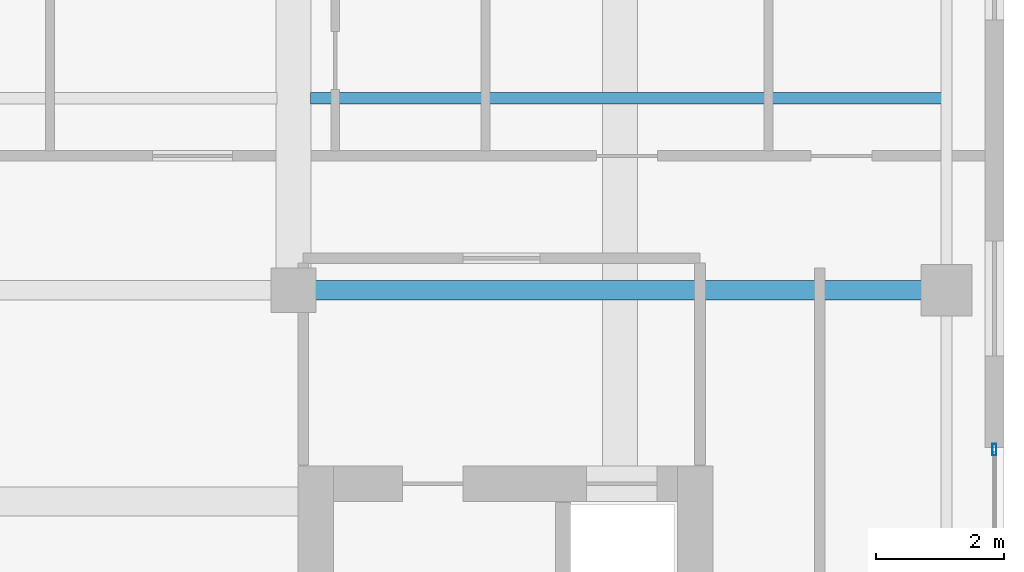
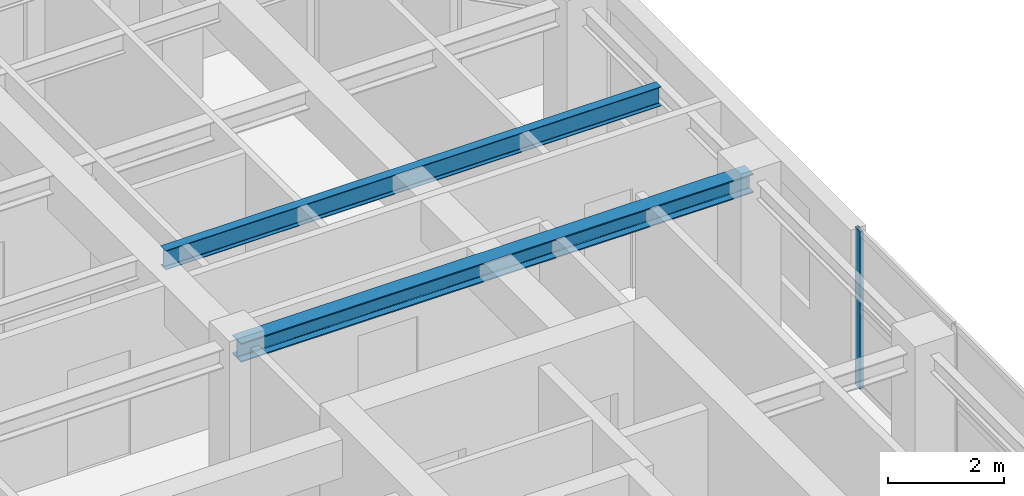
# One storey, part 11 of 21: 2 beams, 1 member, 1 element without a shape of its own.
"""IFC4 building model written with IfcOpenShell, lengths in metres."""

import ifcopenshell
import ifcopenshell.guid

model = None  # the IFC model being written
_history = None  # IfcOwnerHistory: only IFC2X3 demands one
_inside = {}  # id of a spatial element -> (the spatial element, [elements in it])
_under = {}  # id of a project, library or spatial element -> (it, [spatial elements below it])
_declared = {}  # id of a project -> (the project, [libraries it declares])
_typed = {}  # id of a type object -> (the type object, [elements of that type])
_made_of = {}  # id of a material, layer set ... -> (it, [elements and type objects made of it])


def new_model(schema):
    """Start an empty IFC model of exactly this schema.

    Asked for "IFC4X3", IfcOpenShell would pick the latest addendum, in which some entities
    have other attributes; the version numbers below select the first issue.
    IFC2X3 requires an IfcOwnerHistory on every rooted entity: one is made here for all.
    """
    global model, _history
    if schema == "IFC4X3":
        model = ifcopenshell.file(schema_version=(4, 3, 0, 0))
    else:
        model = ifcopenshell.file(schema=schema)
    _inside.clear()
    _under.clear()
    _declared.clear()
    _typed.clear()
    _made_of.clear()
    _history = None
    if model.schema == "IFC2X3":
        org = make("IfcOrganization", Name="unknown")
        user = make(
            "IfcPersonAndOrganization",
            ThePerson=make("IfcPerson", FamilyName="unknown"),
            TheOrganization=org,
        )
        app = make(
            "IfcApplication",
            ApplicationDeveloper=org,
            Version="unknown",
            ApplicationFullName="unknown",
            ApplicationIdentifier="unknown",
        )
        _history = make(
            "IfcOwnerHistory",
            OwningUser=user,
            OwningApplication=app,
            ChangeAction="ADDED",
            CreationDate=0,
        )
    return model


def make(cls, **values):
    """One entity of the class cls with the attributes given. An attribute that is None is left unset."""
    return model.create_entity(
        cls, **{name: value for name, value in values.items() if value is not None}
    )


def rooted(cls, **values):
    """An entity with a GlobalId (a new one), such as an element, a storey or a relation."""
    return make(cls, GlobalId=ifcopenshell.guid.new(), OwnerHistory=_history, **values)


def si_unit(unit_type, name, prefix=None):
    """IfcSIUnit, for example si_unit("LENGTHUNIT", "METRE", prefix="MILLI")."""
    return make("IfcSIUnit", UnitType=unit_type, Prefix=prefix, Name=name)


def assignment(units):
    """IfcUnitAssignment: the units of a project."""
    return None if units is None else make("IfcUnitAssignment", Units=units)


def point(xyz):
    """IfcCartesianPoint."""
    return None if xyz is None else make("IfcCartesianPoint", Coordinates=xyz)


def direction(xyz):
    """IfcDirection."""
    return None if xyz is None else make("IfcDirection", DirectionRatios=xyz)


def frame(location, z_axis=None, x_axis=None):
    """IfcAxis2Placement3D, a coordinate frame: its origin and axes. An axis left out is left unset."""
    return make(
        "IfcAxis2Placement3D",
        Location=point(location),
        Axis=direction(z_axis),
        RefDirection=direction(x_axis),
    )


def frame_2d(location, x_axis=None):
    """IfcAxis2Placement2D, a coordinate frame in the plane: its origin and x axis."""
    return make(
        "IfcAxis2Placement2D", Location=point(location), RefDirection=direction(x_axis)
    )


def origin():
    """The frame at (0, 0, 0) with its axes left unset."""
    return frame((0.0, 0.0, 0.0))


def origin_2d():
    """The frame at (0, 0) in the plane with its x axis left unset."""
    return frame_2d((0.0, 0.0))


def place(relative_to, where):
    """IfcLocalPlacement: puts the frame where relative to a parent placement (None: the world)."""
    return make(
        "IfcLocalPlacement", PlacementRelTo=relative_to, RelativePlacement=where
    )


def context(
    kind, dimensions, precision=None, world=None, true_north=None, identifier=None
):
    """IfcGeometricRepresentationContext, for example the 3D "Model" context."""
    return make(
        "IfcGeometricRepresentationContext",
        ContextIdentifier=identifier,
        ContextType=kind,
        CoordinateSpaceDimension=dimensions,
        Precision=precision,
        WorldCoordinateSystem=world,
        TrueNorth=true_north,
    )


def subcontext(parent, identifier, kind, view, scale=None):
    """IfcGeometricRepresentationSubContext, for example "Body" below "Model"."""
    return make(
        "IfcGeometricRepresentationSubContext",
        ContextIdentifier=identifier,
        ContextType=kind,
        ParentContext=parent,
        TargetScale=scale,
        TargetView=view,
    )


def project(units=None, contexts=None):
    """IfcProject with its units and contexts."""
    return rooted(
        "IfcProject",
        Name="project",
        RepresentationContexts=contexts,
        UnitsInContext=assignment(units),
    )


def spatial(cls, under=None, at=None, **own):
    """A site, building, storey or space (cls), placed at a placement, below another one or the project."""
    s = rooted(cls, ObjectPlacement=at, **own)
    if under is not None:
        _under.setdefault(under.id(), (under, []))[1].append(s)
    return s


def profile(cls, at=None, kind="AREA", **sizes):
    """A parametric profile (cls). Its sizes go by their IFC names, for example OverallWidth=200.0."""
    return make(cls, ProfileType=kind, Position=at, **sizes)


def hollow_rectangle(**sizes):
    """IfcRectangleHollowProfileDef."""
    return profile("IfcRectangleHollowProfileDef", **sizes)


def i_section(**sizes):
    """IfcIShapeProfileDef."""
    return profile("IfcIShapeProfileDef", **sizes)


def extrude(swept, where, along, depth):
    """IfcExtrudedAreaSolid: the profile swept, set in the frame where, extruded along a direction by depth."""
    return make(
        "IfcExtrudedAreaSolid",
        SweptArea=swept,
        Position=where,
        ExtrudedDirection=direction(along),
        Depth=depth,
    )


def shape(context_of_items, identifier, shape_type, items):
    """IfcShapeRepresentation: the items that make up one representation, for example the "Body"."""
    return make(
        "IfcShapeRepresentation",
        ContextOfItems=context_of_items,
        RepresentationIdentifier=identifier,
        RepresentationType=shape_type,
        Items=items,
    )


def source(mapping_origin, context_of_items, identifier, shape_type, items):
    """IfcRepresentationMap: a shape defined once, which mapped items show again and again."""
    return make(
        "IfcRepresentationMap",
        MappingOrigin=mapping_origin,
        MappedRepresentation=shape(context_of_items, identifier, shape_type, items),
    )


def transform(
    local_origin,
    x_axis=None,
    y_axis=None,
    z_axis=None,
    scale=None,
    scale2=None,
    scale3=None,
    uniform=True,
):
    """IfcCartesianTransformationOperator3D, or its non-uniform kind. x_axis, y_axis, z_axis: its Axis1, 2, 3."""
    if uniform:
        return make(
            "IfcCartesianTransformationOperator3D",
            Axis1=direction(x_axis),
            Axis2=direction(y_axis),
            LocalOrigin=point(local_origin),
            Scale=scale,
            Axis3=direction(z_axis),
        )
    return make(
        "IfcCartesianTransformationOperator3DnonUniform",
        Axis1=direction(x_axis),
        Axis2=direction(y_axis),
        LocalOrigin=point(local_origin),
        Scale=scale,
        Axis3=direction(z_axis),
        Scale2=scale2,
        Scale3=scale3,
    )


def mapped(mapping_source, mapping_target):
    """IfcMappedItem: shows the shape of a source again, moved by a transform."""
    return make(
        "IfcMappedItem", MappingSource=mapping_source, MappingTarget=mapping_target
    )


def material(Name=None, Category=None):
    """IfcMaterial."""
    return make("IfcMaterial", Name=Name, Category=Category)


def layer(
    of_material, thickness, ventilated=None, Name=None, Category=None, Priority=None
):
    """IfcMaterialLayer: one layer of a wall or slab, of a material (None: an air gap)."""
    return make(
        "IfcMaterialLayer",
        Material=of_material,
        LayerThickness=thickness,
        IsVentilated=ventilated,
        Name=Name,
        Category=Category,
        Priority=Priority,
    )


def layer_set(layers, Name=None):
    """IfcMaterialLayerSet."""
    return make("IfcMaterialLayerSet", MaterialLayers=layers, LayerSetName=Name)


def material_profile(
    of_material, cross_section, Name=None, Category=None, Priority=None
):
    """IfcMaterialProfile: a cross section and its material."""
    return make(
        "IfcMaterialProfile",
        Name=Name,
        Material=of_material,
        Profile=cross_section,
        Priority=Priority,
        Category=Category,
    )


def profile_set(profiles, Name=None, composite=None):
    """IfcMaterialProfileSet."""
    return make(
        "IfcMaterialProfileSet",
        Name=Name,
        MaterialProfiles=profiles,
        CompositeProfile=composite,
    )


def made_of(thing, what):
    """Note that an element or type object is made of a material, layer set ...; save() writes the relation."""
    if what is not None:
        _made_of.setdefault(what.id(), (what, []))[1].append(thing)
    return thing


def type_object(cls, material=None, **own):
    """A type object (cls), such as IfcWallType, which elements share."""
    return made_of(rooted(cls, **own), material)


def element(
    cls,
    number,
    at=None,
    inside=None,
    cuts=None,
    type_object=None,
    material=None,
    context=None,
    identifier="Body",
    shape_type=None,
    held_by="IfcProductDefinitionShape",
    body=None,
    shapes=None,
    **own,
):
    """One element of the class cls, such as IfcWall. Its Tag is "e" and its number.

    at: its placement. inside: the storey or other place that contains it. cuts: it is an
    opening in that element (IfcRelVoidsElement). A single representation is given by context,
    identifier, shape_type and body (its items); several are given by shapes. held_by: the class
    of the entity that holds the representations. save() writes the other relations.
    """
    e = rooted(cls, Tag="e%d" % number, ObjectPlacement=at, **own)
    if body is not None:
        shapes = [shape(context, identifier, shape_type, body)]
    if shapes is not None:
        e.Representation = make(held_by, Representations=shapes)
    if inside is not None:
        _inside.setdefault(inside.id(), (inside, []))[1].append(e)
    if cuts is not None:
        rooted(
            "IfcRelVoidsElement", RelatingBuildingElement=cuts, RelatedOpeningElement=e
        )
    if type_object is not None:
        _typed.setdefault(type_object.id(), (type_object, []))[1].append(e)
    return made_of(e, material)


def aggregate(whole, parts):
    """IfcRelAggregates: a whole, such as a stair, and the parts it consists of."""
    return rooted("IfcRelAggregates", RelatingObject=whole, RelatedObjects=parts)


def save(model, path):
    """Write the relations noted so far, then the file.

    IfcRelAggregates (storeys below a building ...), IfcRelContainedInSpatialStructure (elements
    in a storey), IfcRelDefinesByType, IfcRelAssociatesMaterial and IfcRelDeclares: one each for
    every whole, place, type object, material and project.
    """
    for whole, parts in _under.values():
        aggregate(whole, parts)
    for where, things in _inside.values():
        rooted(
            "IfcRelContainedInSpatialStructure",
            RelatedElements=things,
            RelatingStructure=where,
        )
    for kind, things in _typed.values():
        rooted("IfcRelDefinesByType", RelatedObjects=things, RelatingType=kind)
    for what, things in _made_of.values():
        rooted("IfcRelAssociatesMaterial", RelatedObjects=things, RelatingMaterial=what)
    for by, libraries in _declared.values():
        rooted("IfcRelDeclares", RelatingContext=by, RelatedDefinitions=libraries)
    model.write(path)


model = new_model("IFC4")

# Units and contexts
model_context = context("Model", 3, precision=1e-05, world=origin(), true_north=direction((0.0, 1.0)))
body_context = subcontext(model_context, "Body", "Model", "MODEL_VIEW")
ifc_project = project(units=[si_unit("LENGTHUNIT", "METRE"), si_unit("AREAUNIT", "SQUARE_METRE"), si_unit("VOLUMEUNIT", "CUBIC_METRE"), si_unit("PLANEANGLEUNIT", "RADIAN"), si_unit("MASSUNIT", "GRAM", prefix="KILO")], contexts=[model_context])

# Site, building, storey
site_placement = place(None, origin())
site = spatial("IfcSite", under=ifc_project, at=site_placement, CompositionType="ELEMENT")
building_placement = place(site_placement, origin())
building = spatial("IfcBuilding", under=site, at=building_placement, Name="Khoralis Quay Care Tower", CompositionType="ELEMENT")
storey_placement = place(building_placement, frame((0.0, 0.0, 267.300048828125)))
storey = spatial("IfcBuildingStorey", under=building, at=storey_placement, Name="L70", CompositionType="ELEMENT", Elevation=267.300048828125)

# Beams
ifc_material_1 = material(Name="Steel S355", Category="steel")
ifc_material_profile_1 = material_profile(ifc_material_1, i_section(OverallWidth=0.300048828125, OverallDepth=0.39990234375, WebThickness=0.013427734375, FlangeThickness=0.02392578125, FilletRadius=0.027099609375, at=origin_2d()), Name="Steel S355")
ifc_profile_set_1 = profile_set([ifc_material_profile_1], Name="Steel S355")
beam_type_1 = type_object("IfcBeamType", Name="BM-HEB400", PredefinedType="BEAM", material=ifc_profile_set_1)
shared_shape_1 = source(origin(), body_context, "Body", "SweptSolid", [
    extrude(i_section(OverallWidth=0.300048828125, OverallDepth=0.39990234375, WebThickness=0.013427734375, FlangeThickness=0.02392578125, FilletRadius=0.027099609375, at=origin_2d()), origin(), (0.0, 0.0, 1.0), 10.2001953125),
])
beam_1_placement = place(storey_placement, frame((30.89990234375, 30.0, 3.119873046875), z_axis=(1.0, 0.0, 0.0), x_axis=(0.0, 1.0, 0.0)))
element("IfcBeam", 1, at=beam_1_placement, inside=storey, type_object=beam_type_1, Name="BM-TGXE-L70-300", PredefinedType="BEAM", context=body_context, shape_type="MappedRepresentation", body=[
    mapped(shared_shape_1, transform((0.0, 0.0, 0.0), scale=1.0)),
])
ifc_material_profile_2 = material_profile(ifc_material_1, i_section(OverallWidth=0.177978515625, OverallDepth=0.406982421875, WebThickness=0.0078125, FlangeThickness=0.0126953125, FilletRadius=0.012939453125, at=origin_2d()), Name="Steel S355")
ifc_profile_set_2 = profile_set([ifc_material_profile_2], Name="Steel S355")
beam_type_2 = type_object("IfcBeamType", Name="BM-W410X60", PredefinedType="JOIST", material=ifc_profile_set_2)
shared_shape_2 = source(origin(), body_context, "Body", "SweptSolid", [
    extrude(i_section(OverallWidth=0.177978515625, OverallDepth=0.406982421875, WebThickness=0.0078125, FlangeThickness=0.0126953125, FilletRadius=0.012939453125, at=origin_2d()), origin(), (0.0, 0.0, 1.0), 9.865966796875),
])
beam_2_placement = place(storey_placement, frame((31.1630859375, 33.0, 3.116455078125), z_axis=(1.0, 0.0, 0.0), x_axis=(0.0, 1.0, 0.0)))
element("IfcBeam", 2, at=beam_2_placement, inside=storey, type_object=beam_type_2, Name="BM-TJS-L70-25", PredefinedType="JOIST", context=body_context, shape_type="MappedRepresentation", body=[
    mapped(shared_shape_2, transform((0.0, 0.0, 0.0), scale=1.0)),
])

# Curtain wall, member
ifc_material_2 = material(Name="Pale anodised aluminium", Category="aluminium")
ifc_layer = layer(ifc_material_2, 0.159912109375)
ifc_layer_set = layer_set([ifc_layer], Name="Pale anodised aluminium")
curtain_wall_type = type_object("IfcCurtainWallType", Name="CW-SYS-Z3", PredefinedType="NOTDEFINED", material=ifc_layer_set)
curtain_wall_placement = place(storey_placement, origin())
curtain_wall = element("IfcCurtainWall", 3, at=curtain_wall_placement, inside=storey, type_object=curtain_wall_type, Name="L70 Unitised Curtain Wall CW-L70-P1-E5", PredefinedType="NOTDEFINED")
ifc_material_profile_3 = material_profile(ifc_material_2, hollow_rectangle(XDim=0.06494140625, YDim=0.179931640625, WallThickness=0.00390625, at=origin_2d()), Name="Pale anodised aluminium")
ifc_profile_set_3 = profile_set([ifc_material_profile_3], Name="Pale anodised aluminium")
member_type = type_object("IfcMemberType", Name="CW-MUL-180", PredefinedType="MULLION", material=ifc_profile_set_3)
shared_shape_3 = source(origin(), body_context, "Body", "SweptSolid", [
    extrude(hollow_rectangle(XDim=0.06494140625, YDim=0.179931640625, WallThickness=0.00390625, at=origin_2d()), origin(), (0.0, 0.0, 1.0), 3.320068359375),
])
member_placement = place(storey_placement, frame((41.85009765625, 27.510009765625, 0.0), z_axis=(0.0, 0.0, 1.0), x_axis=(-1.0, 0.0, 0.0)))
member = element("IfcMember", 4, at=member_placement, type_object=member_type, Name="CW3 mullion 4", PredefinedType="MULLION", context=body_context, shape_type="MappedRepresentation", body=[
    mapped(shared_shape_3, transform((0.0, 0.0, 0.0), scale=1.0)),
])
aggregate(curtain_wall, [member])

save(model, "model.ifc")
